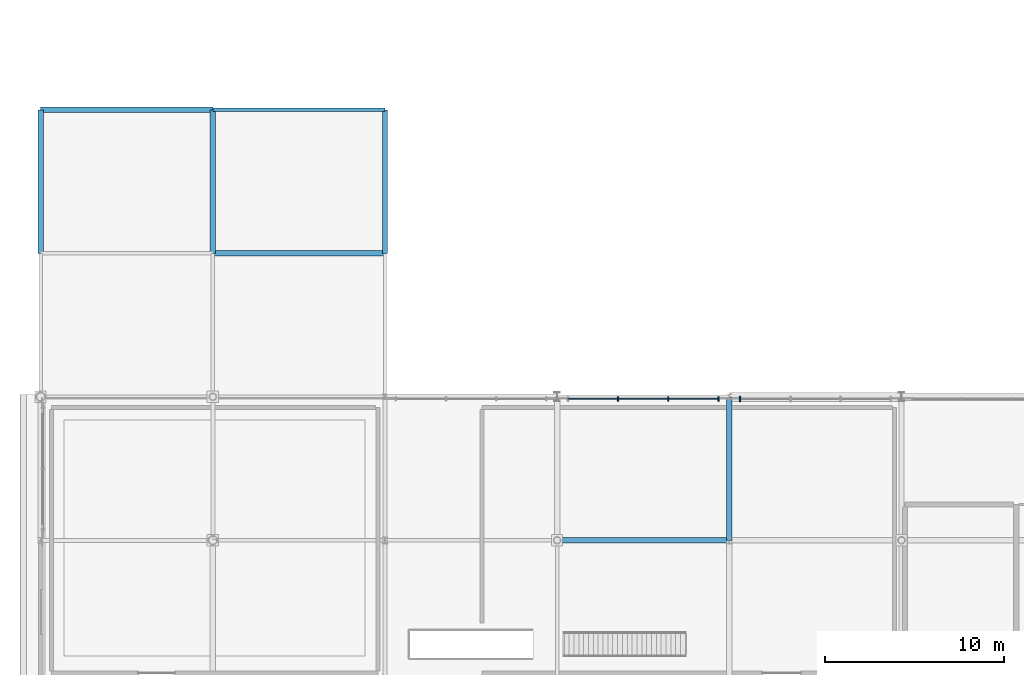
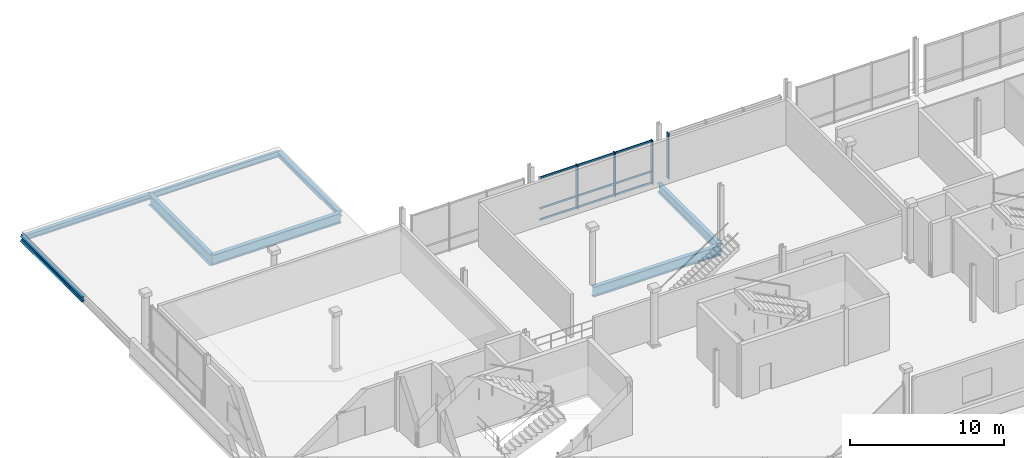
# One storey, part 12 of 36: 8 beams, 7 members, 2 elements without a shape of their own.
"""IFC4 building model written with IfcOpenShell, lengths in metres."""

from ifc_helpers import new_model, si_unit, direction, frame, origin, origin_2d, place, context, subcontext, project, spatial, rectangle, i_section, extrude, material, material_profile, profile_set, type_object, element, aggregate, save


model = new_model("IFC4")

# Units and contexts
model_context = context("Model", 3, precision=1e-05, world=origin(), true_north=direction((0.0, 1.0)))
body_context = subcontext(model_context, "Body", "Model", "MODEL_VIEW")
ifc_project = project(units=[si_unit("LENGTHUNIT", "METRE"), si_unit("AREAUNIT", "SQUARE_METRE"), si_unit("VOLUMEUNIT", "CUBIC_METRE"), si_unit("PLANEANGLEUNIT", "RADIAN"), si_unit("MASSUNIT", "GRAM", prefix="KILO")], contexts=[model_context])

# Site, building, storey
site_placement = place(None, origin())
site = spatial("IfcSite", under=ifc_project, at=site_placement, CompositionType="ELEMENT")
building_placement = place(site_placement, origin())
building = spatial("IfcBuilding", under=site, at=building_placement, Name="Danafjord Basin Convention Centre", CompositionType="ELEMENT")
storey_placement = place(building_placement, frame((0.0, 0.0, 20.39990234375)))
storey = spatial("IfcBuildingStorey", under=building, at=storey_placement, Name="L04", CompositionType="ELEMENT", Elevation=20.39990234375)

# Beams
ifc_material_1 = material(Name="Steel S355", Category="steel")
ifc_material_profile_1 = material_profile(ifc_material_1, i_section(OverallWidth=0.300048828125, OverallDepth=0.699951171875, WebThickness=0.01708984375, FlangeThickness=0.031982421875, FilletRadius=0.027099609375, at=origin_2d()), Name="HEB 700")
ifc_profile_set_1 = profile_set([ifc_material_profile_1], Name="Steel S355")
beam_type_1 = type_object("IfcBeamType", Name="BEAM-BM-HEB700", PredefinedType="BEAM", material=ifc_profile_set_1)
beam_1_placement = place(storey_placement, frame((38.39990234375, 32.0, -0.573974609375), z_axis=(0.0, 1.0, 0.0), x_axis=(-1.0, 0.0, 0.0)))
element("IfcBeam", 1, at=beam_1_placement, inside=storey, type_object=beam_type_1, Name="L04 transverse girder BM-HEB700", PredefinedType="BEAM", context=body_context, shape_type="SweptSolid", body=[
    extrude(i_section(OverallWidth=0.300048828125, OverallDepth=0.699951171875, WebThickness=0.01708984375, FlangeThickness=0.031982421875, FilletRadius=0.027099609375, at=origin_2d()), origin(), (0.0, 0.0, 1.0), 8.0),
])
ifc_material_profile_2 = material_profile(ifc_material_1, i_section(OverallWidth=0.300048828125, OverallDepth=0.800048828125, WebThickness=0.017578125, FlangeThickness=0.032958984375, FilletRadius=0.030029296875, at=origin_2d()), Name="HEB 800")
ifc_profile_set_2 = profile_set([ifc_material_profile_2], Name="Steel S355")
beam_type_2 = type_object("IfcBeamType", Name="BEAM-BM-HEB800", PredefinedType="BEAM", material=ifc_profile_set_2)
for number, where, z_axis, x_axis, name in (
    (2, (9.60009765625, 48.0, -1.06494140625), (1.0, 0.0, 0.0), (0.0, 1.0, 0.0), "L04 girder BM-HEB800"),
    (3, (28.800048828125, 32.0, -0.6240234375), (1.0, 0.0, 0.0), (0.0, 1.0, 0.0), "L04 girder BM-HEB800"),
):
    element("IfcBeam", number, at=place(storey_placement, frame(where, z_axis=z_axis, x_axis=x_axis)), inside=storey, type_object=beam_type_2, Name=name, PredefinedType="BEAM", context=body_context, shape_type="SweptSolid", body=[
        extrude(i_section(OverallWidth=0.300048828125, OverallDepth=0.800048828125, WebThickness=0.017578125, FlangeThickness=0.032958984375, FilletRadius=0.030029296875, at=origin_2d()), origin(), (0.0, 0.0, 1.0), 9.599853515625),
    ])
ifc_material_profile_3 = material_profile(ifc_material_1, i_section(OverallWidth=0.300048828125, OverallDepth=0.89990234375, WebThickness=0.0185546875, FlangeThickness=0.034912109375, FilletRadius=0.030029296875, at=origin_2d()), Name="HEB 900")
ifc_profile_set_3 = profile_set([ifc_material_profile_3], Name="Steel S355")
beam_type_3 = type_object("IfcBeamType", Name="BEAM-BM-HEB900", PredefinedType="BEAM", material=ifc_profile_set_3)
beam_2_placement = place(storey_placement, frame((9.60009765625, 48.0, -1.114990234375), z_axis=(0.0, 1.0, 0.0), x_axis=(-1.0, 0.0, 0.0)))
element("IfcBeam", 4, at=beam_2_placement, inside=storey, type_object=beam_type_3, Name="L04 transverse girder BM-HEB900", PredefinedType="BEAM", context=body_context, shape_type="SweptSolid", body=[
    extrude(i_section(OverallWidth=0.300048828125, OverallDepth=0.89990234375, WebThickness=0.0185546875, FlangeThickness=0.034912109375, FilletRadius=0.030029296875, at=origin_2d()), origin(), (0.0, 0.0, 1.0), 8.0),
])
ifc_material_profile_4 = material_profile(ifc_material_1, i_section(OverallWidth=0.300048828125, OverallDepth=0.39990234375, WebThickness=0.013427734375, FlangeThickness=0.02392578125, FilletRadius=0.027099609375, at=origin_2d()), Name="HEB 400")
ifc_profile_set_4 = profile_set([ifc_material_profile_4], Name="Steel S355")
beam_type_4 = type_object("IfcBeamType", Name="BEAM-SP-HEB400", PredefinedType="SPANDREL", material=ifc_profile_set_4)
beam_3_placement = place(storey_placement, frame((0.0, 56.0, -0.864990234375), z_axis=(1.0, 0.0, 0.0), x_axis=(0.0, 1.0, 0.0)))
element("IfcBeam", 5, at=beam_3_placement, inside=storey, type_object=beam_type_4, Name="L04 girder SP-HEB400", PredefinedType="SPANDREL", context=body_context, shape_type="SweptSolid", body=[
    extrude(i_section(OverallWidth=0.300048828125, OverallDepth=0.39990234375, WebThickness=0.013427734375, FlangeThickness=0.02392578125, FilletRadius=0.027099609375, at=origin_2d()), origin(), (0.0, 0.0, 1.0), 9.60009765625),
])
for number, where, z_axis, x_axis, name in (
    (6, (0.0, 48.0, -0.864990234375), (0.0, 1.0, 0.0), (-1.0, 0.0, 0.0), "L04 transverse girder SP-HEB400"),
    (7, (19.199951171875, 48.0, -0.864990234375), (0.0, 1.0, 0.0), (-1.0, 0.0, 0.0), "L04 transverse girder SP-HEB400"),
):
    element("IfcBeam", number, at=place(storey_placement, frame(where, z_axis=z_axis, x_axis=x_axis)), inside=storey, type_object=beam_type_4, Name=name, PredefinedType="SPANDREL", context=body_context, shape_type="SweptSolid", body=[
        extrude(i_section(OverallWidth=0.300048828125, OverallDepth=0.39990234375, WebThickness=0.013427734375, FlangeThickness=0.02392578125, FilletRadius=0.027099609375, at=origin_2d()), origin(), (0.0, 0.0, 1.0), 8.0),
    ])
ifc_material_profile_5 = material_profile(ifc_material_1, i_section(OverallWidth=0.18994140625, OverallDepth=0.449951171875, WebThickness=0.009521484375, FlangeThickness=0.0146484375, FilletRadius=0.02099609375, at=origin_2d()), Name="IPE 450")
ifc_profile_set_5 = profile_set([ifc_material_profile_5], Name="Steel S355")
beam_type_5 = type_object("IfcBeamType", Name="BEAM-SP-IPE450", PredefinedType="SPANDREL", material=ifc_profile_set_5)
beam_4_placement = place(storey_placement, frame((9.60009765625, 56.0, -0.889892578125), z_axis=(1.0, 0.0, 0.0), x_axis=(0.0, 1.0, 0.0)))
element("IfcBeam", 8, at=beam_4_placement, inside=storey, type_object=beam_type_5, Name="L04 girder SP-IPE450", PredefinedType="SPANDREL", context=body_context, shape_type="SweptSolid", body=[
    extrude(i_section(OverallWidth=0.18994140625, OverallDepth=0.449951171875, WebThickness=0.009521484375, FlangeThickness=0.0146484375, FilletRadius=0.02099609375, at=origin_2d()), origin(), (0.0, 0.0, 1.0), 9.599853515625),
])

# Curtain wall, members
ifc_material_2 = material(Name="Anodised aluminium and triple glazing", Category="aluminium")
curtain_wall_type = type_object("IfcCurtainWallType", Name="CW-CW-TERR", PredefinedType="NOTDEFINED", material=ifc_material_2)
curtain_wall_1_placement = place(storey_placement, origin())
curtain_wall_1 = element("IfcCurtainWall", 9, at=curtain_wall_1_placement, inside=storey, type_object=curtain_wall_type, Name="L04 CW-TERR unitised curtain wall bay 88", PredefinedType="NOTDEFINED")
ifc_material_3 = material(Name="Anodised aluminium EN AW-6060", Category="aluminium")
ifc_material_profile_6 = material_profile(ifc_material_3, rectangle(XDim=0.070068359375, YDim=0.260009765625, at=origin_2d()), Name="MULL 70x260")
ifc_profile_set_6 = profile_set([ifc_material_profile_6], Name="Anodised aluminium EN AW-6060")
member_type_1 = type_object("IfcMemberType", Name="MEM-ML-260", PredefinedType="MULLION", material=ifc_profile_set_6)
member_1_placement = place(storey_placement, frame((37.800048828125, 39.8798828125, -0.02490234375), z_axis=(0.0, 0.0, 1.0), x_axis=(-1.0, 0.0, 0.0)))
member_1 = element("IfcMember", 10, at=member_1_placement, type_object=member_type_1, Name="CW-L04-088 mullion 1", PredefinedType="MULLION", context=body_context, shape_type="SweptSolid", body=[
    extrude(rectangle(XDim=0.070068359375, YDim=0.260009765625, at=origin_2d()), origin(), (0.0, 0.0, 1.0), 3.465087890625),
])
member_2_placement = place(storey_placement, frame((35.0, 39.8798828125, -0.02490234375), z_axis=(0.0, 0.0, 1.0), x_axis=(-1.0, 0.0, 0.0)))
member_2 = element("IfcMember", 11, at=member_2_placement, type_object=member_type_1, Name="CW-L04-088 mullion 2", PredefinedType="MULLION", context=body_context, shape_type="SweptSolid", body=[
    extrude(rectangle(XDim=0.070068359375, YDim=0.260009765625, at=origin_2d()), origin(), (0.0, 0.0, 1.0), 3.465087890625),
])
member_3_placement = place(storey_placement, frame((32.199951171875, 39.8798828125, -0.02490234375), z_axis=(0.0, 0.0, 1.0), x_axis=(-1.0, 0.0, 0.0)))
member_3 = element("IfcMember", 12, at=member_3_placement, type_object=member_type_1, Name="CW-L04-088 mullion 3", PredefinedType="MULLION", context=body_context, shape_type="SweptSolid", body=[
    extrude(rectangle(XDim=0.070068359375, YDim=0.260009765625, at=origin_2d()), origin(), (0.0, 0.0, 1.0), 3.465087890625),
])

# Curtain wall, member
curtain_wall_2_placement = place(storey_placement, origin())
curtain_wall_2 = element("IfcCurtainWall", 13, at=curtain_wall_2_placement, inside=storey, type_object=curtain_wall_type, Name="L04 CW-TERR unitised curtain wall bay 89", PredefinedType="NOTDEFINED")
ifc_material_profile_7 = material_profile(ifc_material_3, rectangle(XDim=0.080078125, YDim=0.300048828125, at=origin_2d()), Name="MULL 80x300")
ifc_profile_set_7 = profile_set([ifc_material_profile_7], Name="Anodised aluminium EN AW-6060")
member_type_2 = type_object("IfcMemberType", Name="MEM-ML-300", PredefinedType="MULLION", material=ifc_profile_set_7)
member_4_placement = place(storey_placement, frame((39.0, 39.8798828125, -0.02490234375), z_axis=(0.0, 0.0, 1.0), x_axis=(-1.0, 0.0, 0.0)))
member_4 = element("IfcMember", 14, at=member_4_placement, type_object=member_type_2, Name="CW-L04-089 mullion 4", PredefinedType="MULLION", context=body_context, shape_type="SweptSolid", body=[
    extrude(rectangle(XDim=0.080078125, YDim=0.300048828125, at=origin_2d()), origin(), (0.0, 0.0, 1.0), 3.614990234375),
])
aggregate(curtain_wall_2, [member_4])

# Member
ifc_material_profile_8 = material_profile(ifc_material_3, rectangle(XDim=0.06005859375, YDim=0.14990234375, at=origin_2d()), Name="TRAN 60x150")
ifc_profile_set_8 = profile_set([ifc_material_profile_8], Name="Anodised aluminium EN AW-6060")
member_type_3 = type_object("IfcMemberType", Name="MEM-TR-150", PredefinedType="USERDEFINED", material=ifc_profile_set_8)
member_5_placement = place(storey_placement, frame((37.800048828125, 39.8798828125, 0.06005859375), z_axis=(-1.0, 0.0, 0.0), x_axis=(0.0, -1.0, 0.0)))
member_5 = element("IfcMember", 15, at=member_5_placement, type_object=member_type_3, Name="CW-L04-088 transom 1", ObjectType="TRANSOM", PredefinedType="USERDEFINED", context=body_context, shape_type="SweptSolid", body=[
    extrude(rectangle(XDim=0.06005859375, YDim=0.14990234375, at=origin_2d()), origin(), (0.0, 0.0, 1.0), 8.400146484375),
])

member_6_placement = place(storey_placement, frame((37.800048828125, 39.8798828125, 0.9501953125), z_axis=(-1.0, 0.0, 0.0), x_axis=(0.0, -1.0, 0.0)))
member_6 = element("IfcMember", 16, at=member_6_placement, type_object=member_type_3, Name="CW-L04-088 transom 2", ObjectType="TRANSOM", PredefinedType="USERDEFINED", context=body_context, shape_type="SweptSolid", body=[
    extrude(rectangle(XDim=0.06005859375, YDim=0.14990234375, at=origin_2d()), origin(), (0.0, 0.0, 1.0), 8.400146484375),
])

member_7_placement = place(storey_placement, frame((37.800048828125, 39.8798828125, 3.3701171875), z_axis=(-1.0, 0.0, 0.0), x_axis=(0.0, -1.0, 0.0)))
member_7 = element("IfcMember", 17, at=member_7_placement, type_object=member_type_3, Name="CW-L04-088 transom 3", ObjectType="TRANSOM", PredefinedType="USERDEFINED", context=body_context, shape_type="SweptSolid", body=[
    extrude(rectangle(XDim=0.06005859375, YDim=0.14990234375, at=origin_2d()), origin(), (0.0, 0.0, 1.0), 8.400146484375),
])

aggregate(curtain_wall_1, [member_1, member_2, member_3, member_5, member_6, member_7])

save(model, "model.ifc")
